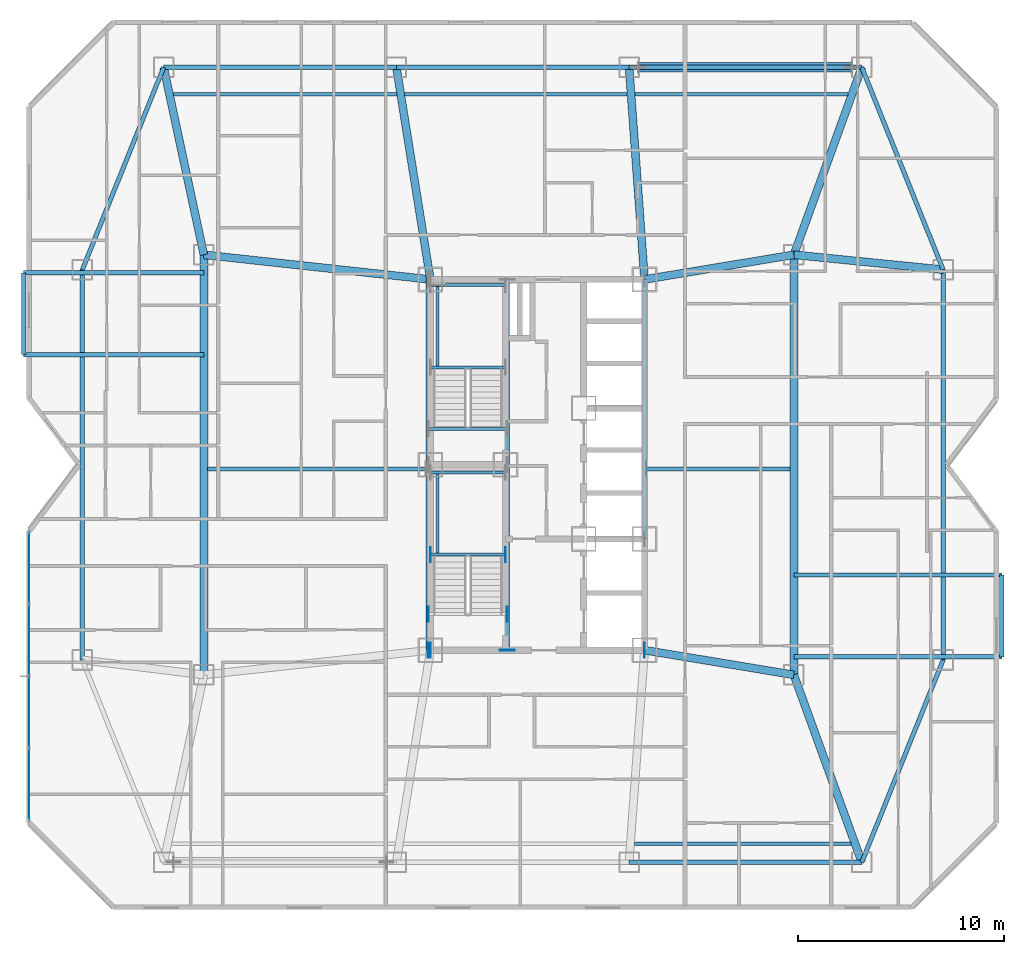
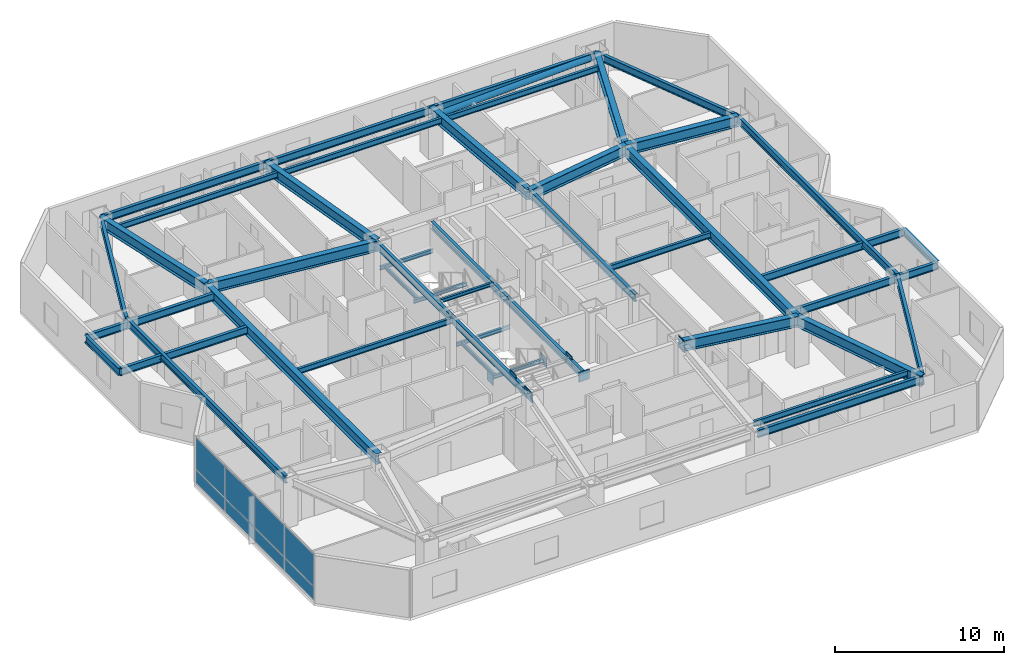
# One storey, part 7 of 19: 44 beams, 17 plates, 1 member, 1 element without a shape of its own.
"""IFC4 building model written with IfcOpenShell, lengths in metres."""

from ifc_helpers import new_model, si_unit, direction, frame, origin, origin_2d, place, context, subcontext, project, spatial, rectangle, hollow_circle, i_section, extrude, material, layer, layer_set, material_profile, profile_set, type_object, element, aggregate, save


model = new_model("IFC4")

# Units and contexts
model_context = context("Model", 3, precision=1e-05, world=origin(), true_north=direction((0.0, 1.0)))
body_context = subcontext(model_context, "Body", "Model", "MODEL_VIEW")
ifc_project = project(units=[si_unit("LENGTHUNIT", "METRE"), si_unit("AREAUNIT", "SQUARE_METRE"), si_unit("VOLUMEUNIT", "CUBIC_METRE"), si_unit("PLANEANGLEUNIT", "RADIAN"), si_unit("MASSUNIT", "GRAM", prefix="KILO")], contexts=[model_context])

# Site, building, storey
site_placement = place(None, origin())
site = spatial("IfcSite", under=ifc_project, at=site_placement, CompositionType="ELEMENT")
building_placement = place(site_placement, origin())
building = spatial("IfcBuilding", under=site, at=building_placement, Name="Khamvora Tower", CompositionType="ELEMENT")
storey_placement = place(building_placement, frame((0.0, 0.0, 120.14990234375)))
storey = spatial("IfcBuildingStorey", under=building, at=storey_placement, Name="L30", CompositionType="ELEMENT", Elevation=120.14990234375)

# Beams
ifc_material_1 = material(Name="Steel S355", Category="steel")
ifc_material_profile_1 = material_profile(ifc_material_1, i_section(OverallWidth=0.177978515625, OverallDepth=0.406982421875, WebThickness=0.008056640625, FlangeThickness=0.012939453125, FilletRadius=0.010009765625, at=origin_2d()), Name="W410x60")
ifc_profile_set_1 = profile_set([ifc_material_profile_1], Name="Steel S355")
beam_type_1 = type_object("IfcBeamType", Name="BM-JS-W410x60", PredefinedType="JOIST", material=ifc_profile_set_1)
beam_1_placement = place(storey_placement, frame((38.902099609375, 9.60009765625, 3.22607421875), z_axis=(1.0, 0.0, 0.0), x_axis=(0.0, 1.0, 0.0)))
element("IfcBeam", 1, at=beam_1_placement, inside=storey, type_object=beam_type_1, Name="L30 secondary floor joist 03", PredefinedType="JOIST", context=body_context, shape_type="SweptSolid", body=[
    extrude(i_section(OverallWidth=0.177978515625, OverallDepth=0.406982421875, WebThickness=0.008056640625, FlangeThickness=0.012939453125, FilletRadius=0.010009765625, at=origin_2d()), origin(), (0.0, 0.0, 1.0), 10.52392578125),
])
beam_2_placement = place(storey_placement, frame((18.18603515625, 27.800048828125, 3.22607421875), z_axis=(1.0, 0.0, 0.0), x_axis=(0.0, 1.0, 0.0)))
element("IfcBeam", 2, at=beam_2_placement, inside=storey, type_object=beam_type_1, Name="L30 secondary floor joist 04", PredefinedType="JOIST", context=body_context, shape_type="SweptSolid", body=[
    extrude(i_section(OverallWidth=0.177978515625, OverallDepth=0.406982421875, WebThickness=0.008056640625, FlangeThickness=0.012939453125, FilletRadius=0.010009765625, at=origin_2d()), origin(), (0.0, 0.0, 1.0), 10.614013671875),
])
beam_3_placement = place(storey_placement, frame((39.4990234375, 27.800048828125, 3.22607421875), z_axis=(1.0, 0.0, 0.0), x_axis=(0.0, 1.0, 0.0)))
element("IfcBeam", 3, at=beam_3_placement, inside=storey, type_object=beam_type_1, Name="L30 secondary floor joist 05", PredefinedType="JOIST", context=body_context, shape_type="SweptSolid", body=[
    extrude(i_section(OverallWidth=0.177978515625, OverallDepth=0.406982421875, WebThickness=0.008056640625, FlangeThickness=0.012939453125, FilletRadius=0.010009765625, at=origin_2d()), origin(), (0.0, 0.0, 1.0), 6.966064453125),
])
beam_4_placement = place(storey_placement, frame((16.51806640625, 46.0, 3.22607421875), z_axis=(1.0, 0.0, 0.0), x_axis=(0.0, 1.0, 0.0)))
element("IfcBeam", 4, at=beam_4_placement, inside=storey, type_object=beam_type_1, Name="L30 secondary floor joist 06", PredefinedType="JOIST", context=body_context, shape_type="SweptSolid", body=[
    extrude(i_section(OverallWidth=0.177978515625, OverallDepth=0.406982421875, WebThickness=0.008056640625, FlangeThickness=0.012939453125, FilletRadius=0.010009765625, at=origin_2d()), origin(), (0.0, 0.0, 1.0), 10.85205078125),
])
beam_5_placement = place(storey_placement, frame((27.74609375, 46.0, 3.22607421875), z_axis=(1.0, 0.0, 0.0), x_axis=(0.0, 1.0, 0.0)))
element("IfcBeam", 5, at=beam_5_placement, inside=storey, type_object=beam_type_1, Name="L30 secondary floor joist 07", PredefinedType="JOIST", context=body_context, shape_type="SweptSolid", body=[
    extrude(i_section(OverallWidth=0.177978515625, OverallDepth=0.406982421875, WebThickness=0.008056640625, FlangeThickness=0.012939453125, FilletRadius=0.010009765625, at=origin_2d()), origin(), (0.0, 0.0, 1.0), 10.81298828125),
])
beam_6_placement = place(storey_placement, frame((38.930908203125, 46.0, 3.22607421875), z_axis=(1.0, 0.0, 0.0), x_axis=(0.0, 1.0, 0.0)))
element("IfcBeam", 6, at=beam_6_placement, inside=storey, type_object=beam_type_1, Name="L30 secondary floor joist 08", PredefinedType="JOIST", context=body_context, shape_type="SweptSolid", body=[
    extrude(i_section(OverallWidth=0.177978515625, OverallDepth=0.406982421875, WebThickness=0.008056640625, FlangeThickness=0.012939453125, FilletRadius=0.010009765625, at=origin_2d()), origin(), (0.0, 0.0, 1.0), 10.35009765625),
])
ifc_material_profile_2 = material_profile(ifc_material_1, i_section(OverallWidth=0.14697265625, OverallDepth=0.261962890625, WebThickness=0.007080078125, FlangeThickness=0.010986328125, FilletRadius=0.008056640625, at=origin_2d()), Name="W250x39")
ifc_profile_set_2 = profile_set([ifc_material_profile_2], Name="Steel S355")
beam_type_2 = type_object("IfcBeamType", Name="BM-LN-W250x39", PredefinedType="LINTEL", material=ifc_profile_set_2)
for number, where, z_axis, x_axis, name in (
    (7, (29.0, 23.635009765625, 1.494140625), (1.0, 0.0, 0.0), (0.0, 1.0, 0.0), "L30 ST-01 half-landing support beam 1.1"),
    (8, (29.0, 27.6298828125, 1.494140625), (1.0, 0.0, 0.0), (0.0, 1.0, 0.0), "L30 ST-01 half-landing support beam 1.2"),
):
    element("IfcBeam", number, at=place(storey_placement, frame(where, z_axis=z_axis, x_axis=x_axis)), inside=storey, type_object=beam_type_2, Name=name, PredefinedType="LINTEL", context=body_context, shape_type="SweptSolid", body=[
        extrude(i_section(OverallWidth=0.14697265625, OverallDepth=0.261962890625, WebThickness=0.007080078125, FlangeThickness=0.010986328125, FilletRadius=0.008056640625, at=origin_2d()), origin(), (0.0, 0.0, 1.0), 3.64990234375),
    ])
beam_7_placement = place(storey_placement, frame((29.35009765625, 23.635009765625, 1.494140625), z_axis=(0.0, 1.0, 0.0), x_axis=(-1.0, 0.0, 0.0)))
element("IfcBeam", 9, at=beam_7_placement, inside=storey, type_object=beam_type_2, Name="L30 ST-01 half-landing edge stringer 1", PredefinedType="LINTEL", context=body_context, shape_type="SweptSolid", body=[
    extrude(i_section(OverallWidth=0.14697265625, OverallDepth=0.261962890625, WebThickness=0.007080078125, FlangeThickness=0.010986328125, FilletRadius=0.008056640625, at=origin_2d()), origin(), (0.0, 0.0, 1.0), 3.994873046875),
])
for number, where, z_axis, x_axis, name in (
    (10, (29.0, 32.735107421875, 1.494140625), (1.0, 0.0, 0.0), (0.0, 1.0, 0.0), "L30 ST-02 half-landing support beam 1.1"),
    (11, (29.0, 36.72998046875, 1.494140625), (1.0, 0.0, 0.0), (0.0, 1.0, 0.0), "L30 ST-02 half-landing support beam 1.2"),
):
    element("IfcBeam", number, at=place(storey_placement, frame(where, z_axis=z_axis, x_axis=x_axis)), inside=storey, type_object=beam_type_2, Name=name, PredefinedType="LINTEL", context=body_context, shape_type="SweptSolid", body=[
        extrude(i_section(OverallWidth=0.14697265625, OverallDepth=0.261962890625, WebThickness=0.007080078125, FlangeThickness=0.010986328125, FilletRadius=0.008056640625, at=origin_2d()), origin(), (0.0, 0.0, 1.0), 3.64990234375),
    ])
beam_8_placement = place(storey_placement, frame((29.35009765625, 32.735107421875, 1.494140625), z_axis=(0.0, 1.0, 0.0), x_axis=(-1.0, 0.0, 0.0)))
element("IfcBeam", 12, at=beam_8_placement, inside=storey, type_object=beam_type_2, Name="L30 ST-02 half-landing edge stringer 1", PredefinedType="LINTEL", context=body_context, shape_type="SweptSolid", body=[
    extrude(i_section(OverallWidth=0.14697265625, OverallDepth=0.261962890625, WebThickness=0.007080078125, FlangeThickness=0.010986328125, FilletRadius=0.008056640625, at=origin_2d()), origin(), (0.0, 0.0, 1.0), 3.994873046875),
])
beam_9_placement = place(storey_placement, frame((28.89990234375, 29.75, 3.30419921875), z_axis=(1.0, 0.0, 0.0), x_axis=(0.0, 1.0, 0.0)))
element("IfcBeam", 13, at=beam_9_placement, inside=storey, type_object=beam_type_2, Name="L30 exit stair ST-02 landing trimmer beam", PredefinedType="LINTEL", context=body_context, shape_type="SweptSolid", body=[
    extrude(i_section(OverallWidth=0.14697265625, OverallDepth=0.261962890625, WebThickness=0.007080078125, FlangeThickness=0.010986328125, FilletRadius=0.008056640625, at=origin_2d()), origin(), (0.0, 0.0, 1.0), 3.830078125),
])
ifc_material_profile_3 = material_profile(ifc_material_1, i_section(OverallWidth=0.381103515625, OverallDepth=0.77294921875, WebThickness=0.01708984375, FlangeThickness=0.027099609375, FilletRadius=0.01806640625, at=origin_2d()), Name="W760x257")
ifc_profile_set_3 = profile_set([ifc_material_profile_3], Name="Steel S355")
beam_type_3 = type_object("IfcBeamType", Name="BM-PG-W760x257", PredefinedType="BEAM", material=ifc_profile_set_3)
for number, where, z_axis, x_axis, name in (
    (14, (46.64990234375, 17.800048828125, 3.044189453125), (0.0, 1.0, 0.0), (-1.0, 0.0, 0.0), "L30 longitudinal frame girder M1-M2"),
    (15, (18.0, 17.800048828125, 3.044189453125), (0.0, 1.0, 0.0), (-1.0, 0.0, 0.0), "L30 longitudinal frame girder MW1-MW2"),
):
    element("IfcBeam", number, at=place(storey_placement, frame(where, z_axis=z_axis, x_axis=x_axis)), inside=storey, type_object=beam_type_3, Name=name, PredefinedType="BEAM", context=body_context, shape_type="SweptSolid", body=[
        extrude(i_section(OverallWidth=0.381103515625, OverallDepth=0.77294921875, WebThickness=0.01708984375, FlangeThickness=0.027099609375, FilletRadius=0.01806640625, at=origin_2d()), origin(), (0.0, 0.0, 1.0), 20.39990234375),
    ])
beam_10_placement = place(storey_placement, frame((46.64990234375, 17.800048828125, 3.044189453125), z_axis=(0.340914681567, -0.940094239899, 0.0), x_axis=(0.940094239899, 0.340914681567, 0.0)))
element("IfcBeam", 16, at=beam_10_placement, inside=storey, type_object=beam_type_3, Name="L30 primary floor girder S4", PredefinedType="BEAM", context=body_context, shape_type="SweptSolid", body=[
    extrude(i_section(OverallWidth=0.381103515625, OverallDepth=0.77294921875, WebThickness=0.01708984375, FlangeThickness=0.027099609375, FilletRadius=0.01806640625, at=origin_2d()), origin(), (0.0, 0.0, 1.0), 9.679931640625),
])
beam_11_placement = place(storey_placement, frame((18.0, 38.199951171875, 3.044189453125), z_axis=(-0.209521922673, 0.977803949634, 0.0), x_axis=(-0.977803949634, -0.209521922673, 0.0)))
element("IfcBeam", 17, at=beam_11_placement, inside=storey, type_object=beam_type_3, Name="L30 primary floor girder N1", PredefinedType="BEAM", context=body_context, shape_type="SweptSolid", body=[
    extrude(i_section(OverallWidth=0.381103515625, OverallDepth=0.77294921875, WebThickness=0.01708984375, FlangeThickness=0.027099609375, FilletRadius=0.01806640625, at=origin_2d()), origin(), (0.0, 0.0, 1.0), 9.306640625),
])
beam_12_placement = place(storey_placement, frame((29.0, 37.0, 3.044189453125), z_axis=(-0.158167584066, 0.987412282358, 0.0), x_axis=(-0.987412282358, -0.158167584066, 0.0)))
element("IfcBeam", 18, at=beam_12_placement, inside=storey, type_object=beam_type_3, Name="L30 primary floor girder N2", PredefinedType="BEAM", context=body_context, shape_type="SweptSolid", body=[
    extrude(i_section(OverallWidth=0.381103515625, OverallDepth=0.77294921875, WebThickness=0.01708984375, FlangeThickness=0.027099609375, FilletRadius=0.01806640625, at=origin_2d()), origin(), (0.0, 0.0, 1.0), 10.431396484375),
])
beam_13_placement = place(storey_placement, frame((39.39990234375, 37.0, 3.044189453125), z_axis=(-0.07262291808, 0.997359469685, 0.0), x_axis=(-0.997359469685, -0.07262291808, 0.0)))
element("IfcBeam", 19, at=beam_13_placement, inside=storey, type_object=beam_type_3, Name="L30 primary floor girder N3", PredefinedType="BEAM", context=body_context, shape_type="SweptSolid", body=[
    extrude(i_section(OverallWidth=0.381103515625, OverallDepth=0.77294921875, WebThickness=0.01708984375, FlangeThickness=0.027099609375, FilletRadius=0.01806640625, at=origin_2d()), origin(), (0.0, 0.0, 1.0), 10.327392578125),
])
beam_14_placement = place(storey_placement, frame((46.64990234375, 38.199951171875, 3.044189453125), z_axis=(0.340914681567, 0.940094239899, 0.0), x_axis=(-0.940094239899, 0.340914681567, 0.0)))
element("IfcBeam", 20, at=beam_14_placement, inside=storey, type_object=beam_type_3, Name="L30 primary floor girder N4", PredefinedType="BEAM", context=body_context, shape_type="SweptSolid", body=[
    extrude(i_section(OverallWidth=0.381103515625, OverallDepth=0.77294921875, WebThickness=0.01708984375, FlangeThickness=0.027099609375, FilletRadius=0.01806640625, at=origin_2d()), origin(), (0.0, 0.0, 1.0), 9.679931640625),
])
beam_15_placement = place(storey_placement, frame((46.64990234375, 38.199951171875, 3.044189453125), z_axis=(0.995039180556, -0.099483813546, 0.0), x_axis=(0.099483813546, 0.995039180556, 0.0)))
element("IfcBeam", 21, at=beam_15_placement, inside=storey, type_object=beam_type_3, Name="L30 primary floor girder E2", PredefinedType="BEAM", context=body_context, shape_type="SweptSolid", body=[
    extrude(i_section(OverallWidth=0.381103515625, OverallDepth=0.77294921875, WebThickness=0.01708984375, FlangeThickness=0.027099609375, FilletRadius=0.01806640625, at=origin_2d()), origin(), (0.0, 0.0, 1.0), 7.2861328125),
])
beam_16_placement = place(storey_placement, frame((29.0, 37.0, 3.044189453125), z_axis=(-0.994102652327, 0.108443149329, 0.0), x_axis=(-0.108443149329, -0.994102652327, 0.0)))
element("IfcBeam", 22, at=beam_16_placement, inside=storey, type_object=beam_type_3, Name="L30 primary floor girder MW2", PredefinedType="BEAM", context=body_context, shape_type="SweptSolid", body=[
    extrude(i_section(OverallWidth=0.381103515625, OverallDepth=0.77294921875, WebThickness=0.01708984375, FlangeThickness=0.027099609375, FilletRadius=0.01806640625, at=origin_2d()), origin(), (0.0, 0.0, 1.0), 11.065185546875),
])
for number, where, z_axis, x_axis, name in (
    (23, (39.39990234375, 19.0, 3.044189453125), (0.986578268552, -0.163289068896, 0.0), (0.163289068896, 0.986578268552, 0.0), "L30 primary floor girder M1"),
    (24, (39.39990234375, 37.0, 3.044189453125), (0.986578268552, 0.163289068896, 0.0), (-0.163289068896, 0.986578268552, 0.0), "L30 primary floor girder M2"),
):
    element("IfcBeam", number, at=place(storey_placement, frame(where, z_axis=z_axis, x_axis=x_axis)), inside=storey, type_object=beam_type_3, Name=name, PredefinedType="BEAM", context=body_context, shape_type="SweptSolid", body=[
        extrude(i_section(OverallWidth=0.381103515625, OverallDepth=0.77294921875, WebThickness=0.01708984375, FlangeThickness=0.027099609375, FilletRadius=0.01806640625, at=origin_2d()), origin(), (0.0, 0.0, 1.0), 7.3486328125),
    ])
ifc_material_profile_4 = material_profile(ifc_material_1, i_section(OverallWidth=0.2119140625, OverallDepth=0.5439453125, WebThickness=0.012939453125, FlangeThickness=0.02099609375, FilletRadius=0.013916015625, at=origin_2d()), Name="W530x123")
ifc_profile_set_4 = profile_set([ifc_material_profile_4], Name="Steel S355")
beam_type_4 = type_object("IfcBeamType", Name="BM-SP-W530x123", PredefinedType="SPANDREL", material=ifc_profile_set_4)
beam_17_placement = place(storey_placement, frame((38.64990234375, 8.699951171875, 3.158203125), z_axis=(1.0, 0.0, 0.0), x_axis=(0.0, 1.0, 0.0)))
element("IfcBeam", 25, at=beam_17_placement, inside=storey, type_object=beam_type_4, Name="L30 perimeter spandrel beam S3-S4", PredefinedType="SPANDREL", context=body_context, shape_type="SweptSolid", body=[
    extrude(i_section(OverallWidth=0.2119140625, OverallDepth=0.5439453125, WebThickness=0.012939453125, FlangeThickness=0.02099609375, FilletRadius=0.013916015625, at=origin_2d()), origin(), (0.0, 0.0, 1.0), 11.300048828125),
])
beam_18_placement = place(storey_placement, frame((49.949951171875, 8.699951171875, 3.158203125), z_axis=(0.373015921536, 0.927824941614, 0.0), x_axis=(-0.927824941614, 0.373015921536, 0.0)))
element("IfcBeam", 26, at=beam_18_placement, inside=storey, type_object=beam_type_4, Name="L30 perimeter spandrel beam S4-E1", PredefinedType="SPANDREL", context=body_context, shape_type="SweptSolid", body=[
    extrude(i_section(OverallWidth=0.2119140625, OverallDepth=0.5439453125, WebThickness=0.012939453125, FlangeThickness=0.02099609375, FilletRadius=0.013916015625, at=origin_2d()), origin(), (0.0, 0.0, 1.0), 10.589111328125),
])
beam_19_placement = place(storey_placement, frame((53.89990234375, 18.52490234375, 3.158203125), z_axis=(0.0, 1.0, 0.0), x_axis=(-1.0, 0.0, 0.0)))
element("IfcBeam", 27, at=beam_19_placement, inside=storey, type_object=beam_type_4, Name="L30 perimeter spandrel beam E1-E2", PredefinedType="SPANDREL", context=body_context, shape_type="SweptSolid", body=[
    extrude(i_section(OverallWidth=0.2119140625, OverallDepth=0.5439453125, WebThickness=0.012939453125, FlangeThickness=0.02099609375, FilletRadius=0.013916015625, at=origin_2d()), origin(), (0.0, 0.0, 1.0), 18.9501953125),
])
beam_20_placement = place(storey_placement, frame((53.89990234375, 37.47509765625, 3.158203125), z_axis=(-0.373015921536, 0.927824941614, 0.0), x_axis=(-0.927824941614, -0.373015921536, 0.0)))
element("IfcBeam", 28, at=beam_20_placement, inside=storey, type_object=beam_type_4, Name="L30 perimeter spandrel beam E2-N4", PredefinedType="SPANDREL", context=body_context, shape_type="SweptSolid", body=[
    extrude(i_section(OverallWidth=0.2119140625, OverallDepth=0.5439453125, WebThickness=0.012939453125, FlangeThickness=0.02099609375, FilletRadius=0.013916015625, at=origin_2d()), origin(), (0.0, 0.0, 1.0), 10.589111328125),
])
beam_21_placement = place(storey_placement, frame((49.949951171875, 47.300048828125, 3.158203125), z_axis=(-1.0, 0.0, 0.0), x_axis=(0.0, -1.0, 0.0)))
element("IfcBeam", 29, at=beam_21_placement, inside=storey, type_object=beam_type_4, Name="L30 perimeter spandrel beam N4-N3", PredefinedType="SPANDREL", context=body_context, shape_type="SweptSolid", body=[
    extrude(i_section(OverallWidth=0.2119140625, OverallDepth=0.5439453125, WebThickness=0.012939453125, FlangeThickness=0.02099609375, FilletRadius=0.013916015625, at=origin_2d()), origin(), (0.0, 0.0, 1.0), 11.300048828125),
])
beam_22_placement = place(storey_placement, frame((38.64990234375, 47.300048828125, 3.158203125), z_axis=(-1.0, 0.0, 0.0), x_axis=(0.0, -1.0, 0.0)))
element("IfcBeam", 30, at=beam_22_placement, inside=storey, type_object=beam_type_4, Name="L30 perimeter spandrel beam N3-N2", PredefinedType="SPANDREL", context=body_context, shape_type="SweptSolid", body=[
    extrude(i_section(OverallWidth=0.2119140625, OverallDepth=0.5439453125, WebThickness=0.012939453125, FlangeThickness=0.02099609375, FilletRadius=0.013916015625, at=origin_2d()), origin(), (0.0, 0.0, 1.0), 11.2998046875),
])
beam_23_placement = place(storey_placement, frame((27.35009765625, 47.300048828125, 3.158203125), z_axis=(-1.0, 0.0, 0.0), x_axis=(0.0, -1.0, 0.0)))
element("IfcBeam", 31, at=beam_23_placement, inside=storey, type_object=beam_type_4, Name="L30 perimeter spandrel beam N2-N1", PredefinedType="SPANDREL", context=body_context, shape_type="SweptSolid", body=[
    extrude(i_section(OverallWidth=0.2119140625, OverallDepth=0.5439453125, WebThickness=0.012939453125, FlangeThickness=0.02099609375, FilletRadius=0.013916015625, at=origin_2d()), origin(), (0.0, 0.0, 1.0), 11.300048828125),
])
beam_24_placement = place(storey_placement, frame((16.050048828125, 47.300048828125, 3.158203125), z_axis=(-0.373015921536, -0.927824941614, 0.0), x_axis=(0.927824941614, -0.373015921536, 0.0)))
element("IfcBeam", 32, at=beam_24_placement, inside=storey, type_object=beam_type_4, Name="L30 perimeter spandrel beam N1-W2", PredefinedType="SPANDREL", context=body_context, shape_type="SweptSolid", body=[
    extrude(i_section(OverallWidth=0.2119140625, OverallDepth=0.5439453125, WebThickness=0.012939453125, FlangeThickness=0.02099609375, FilletRadius=0.013916015625, at=origin_2d()), origin(), (0.0, 0.0, 1.0), 10.589111328125),
])
beam_25_placement = place(storey_placement, frame((12.10009765625, 37.47509765625, 3.158203125), z_axis=(0.0, -1.0, 0.0), x_axis=(1.0, 0.0, 0.0)))
element("IfcBeam", 33, at=beam_25_placement, inside=storey, type_object=beam_type_4, Name="L30 perimeter spandrel beam W2-W1", PredefinedType="SPANDREL", context=body_context, shape_type="SweptSolid", body=[
    extrude(i_section(OverallWidth=0.2119140625, OverallDepth=0.5439453125, WebThickness=0.012939453125, FlangeThickness=0.02099609375, FilletRadius=0.013916015625, at=origin_2d()), origin(), (0.0, 0.0, 1.0), 18.9501953125),
])
ifc_material_profile_5 = material_profile(ifc_material_1, i_section(OverallWidth=0.208984375, OverallDepth=0.532958984375, WebThickness=0.010009765625, FlangeThickness=0.01611328125, FilletRadius=0.013916015625, at=origin_2d()), Name="W530x92")
ifc_profile_set_5 = profile_set([ifc_material_profile_5], Name="Steel S355")
beam_type_5 = type_object("IfcBeamType", Name="BM-SP-W530x92", PredefinedType="SPANDREL", material=ifc_profile_set_5)
for number, where, z_axis, x_axis, name in (
    (34, (28.89990234375, 19.0, 3.1640625), (0.0, 1.0, 0.0), (-1.0, 0.0, 0.0), "L30 core spine girder WS"),
    (35, (28.89990234375, 28.0, 3.1640625), (0.0, 1.0, 0.0), (-1.0, 0.0, 0.0), "L30 core spine girder WN"),
    (36, (32.72998046875, 19.0, 3.1640625), (0.0, 1.0, 0.0), (-1.0, 0.0, 0.0), "L30 core spine girder M1S"),
    (37, (32.72998046875, 28.0, 3.1640625), (0.0, 1.0, 0.0), (-1.0, 0.0, 0.0), "L30 core spine girder M1N"),
):
    element("IfcBeam", number, at=place(storey_placement, frame(where, z_axis=z_axis, x_axis=x_axis)), inside=storey, type_object=beam_type_5, Name=name, PredefinedType="SPANDREL", context=body_context, shape_type="SweptSolid", body=[
        extrude(i_section(OverallWidth=0.208984375, OverallDepth=0.532958984375, WebThickness=0.010009765625, FlangeThickness=0.01611328125, FilletRadius=0.013916015625, at=origin_2d()), origin(), (0.0, 0.0, 1.0), 9.0),
    ])
beam_26_placement = place(storey_placement, frame((39.39990234375, 24.39990234375, 3.1640625), z_axis=(0.0, 1.0, 0.0), x_axis=(-1.0, 0.0, 0.0)))
element("IfcBeam", 38, at=beam_26_placement, inside=storey, type_object=beam_type_5, Name="L30 core spine girder EN", PredefinedType="SPANDREL", context=body_context, shape_type="SweptSolid", body=[
    extrude(i_section(OverallWidth=0.208984375, OverallDepth=0.532958984375, WebThickness=0.010009765625, FlangeThickness=0.01611328125, FilletRadius=0.013916015625, at=origin_2d()), origin(), (0.0, 0.0, 1.0), 12.60009765625),
])
for number, where, z_axis, x_axis, name in (
    (39, (46.64990234375, 18.675048828125, 2.964111328125), (1.0, 0.0, 0.0), (0.0, 1.0, 0.0), "L30 continuous gallery cantilever girder L31-EL1-1"),
    (40, (46.64990234375, 22.64990234375, 2.964111328125), (1.0, 0.0, 0.0), (0.0, 1.0, 0.0), "L30 continuous gallery cantilever girder L31-EL1-2"),
):
    element("IfcBeam", number, at=place(storey_placement, frame(where, z_axis=z_axis, x_axis=x_axis)), inside=storey, type_object=beam_type_5, Name=name, PredefinedType="SPANDREL", context=body_context, shape_type="SweptSolid", body=[
        extrude(i_section(OverallWidth=0.208984375, OverallDepth=0.532958984375, WebThickness=0.010009765625, FlangeThickness=0.01611328125, FilletRadius=0.013916015625, at=origin_2d()), origin(), (0.0, 0.0, 1.0), 10.10009765625),
    ])
beam_27_placement = place(storey_placement, frame((56.75, 18.675048828125, 2.964111328125), z_axis=(0.0, 1.0, 0.0), x_axis=(-1.0, 0.0, 0.0)))
element("IfcBeam", 41, at=beam_27_placement, inside=storey, type_object=beam_type_5, Name="L30 external gallery edge header beam L31-EL1", PredefinedType="SPANDREL", context=body_context, shape_type="SweptSolid", body=[
    extrude(i_section(OverallWidth=0.208984375, OverallDepth=0.532958984375, WebThickness=0.010009765625, FlangeThickness=0.01611328125, FilletRadius=0.013916015625, at=origin_2d()), origin(), (0.0, 0.0, 1.0), 3.974853515625),
])
for number, where, z_axis, x_axis, name in (
    (42, (18.0, 33.35009765625, 2.964111328125), (-1.0, 0.0, 0.0), (0.0, -1.0, 0.0), "L30 continuous gallery cantilever girder L31-WL2-1"),
    (43, (18.0, 37.324951171875, 2.964111328125), (-1.0, 0.0, 0.0), (0.0, -1.0, 0.0), "L30 continuous gallery cantilever girder L31-WL2-2"),
):
    element("IfcBeam", number, at=place(storey_placement, frame(where, z_axis=z_axis, x_axis=x_axis)), inside=storey, type_object=beam_type_5, Name=name, PredefinedType="SPANDREL", context=body_context, shape_type="SweptSolid", body=[
        extrude(i_section(OverallWidth=0.208984375, OverallDepth=0.532958984375, WebThickness=0.010009765625, FlangeThickness=0.01611328125, FilletRadius=0.013916015625, at=origin_2d()), origin(), (0.0, 0.0, 1.0), 8.75),
    ])
beam_28_placement = place(storey_placement, frame((9.25, 33.35009765625, 2.964111328125), z_axis=(0.0, 1.0, 0.0), x_axis=(-1.0, 0.0, 0.0)))
element("IfcBeam", 44, at=beam_28_placement, inside=storey, type_object=beam_type_5, Name="L30 external gallery edge header beam L31-WL2", PredefinedType="SPANDREL", context=body_context, shape_type="SweptSolid", body=[
    extrude(i_section(OverallWidth=0.208984375, OverallDepth=0.532958984375, WebThickness=0.010009765625, FlangeThickness=0.01611328125, FilletRadius=0.013916015625, at=origin_2d()), origin(), (0.0, 0.0, 1.0), 3.974853515625),
])

# Member
ifc_material_profile_6 = material_profile(ifc_material_1, hollow_circle(Radius=0.228515625, WallThickness=0.02001953125, at=origin_2d()), Name="CHS457x20")
ifc_profile_set_6 = profile_set([ifc_material_profile_6], Name="Steel S355")
member_type = type_object("IfcMemberType", Name="MEM-BR-CHS457", PredefinedType="BRACE", material=ifc_profile_set_6)
member_placement = place(storey_placement, frame((39.1298828125, 47.300048828125, 2.7001953125), z_axis=(0.999092084621, 0.0, 0.042602892471), x_axis=(0.0, 1.0, 0.0)))
element("IfcMember", 45, at=member_placement, inside=storey, type_object=member_type, Name="L30 perimeter wind brace 2", PredefinedType="BRACE", context=body_context, shape_type="SweptSolid", body=[
    extrude(hollow_circle(Radius=0.228515625, WallThickness=0.02001953125, at=origin_2d()), origin(), (0.0, 0.0, 1.0), 10.349365234375),
])

# Curtain wall, plates
ifc_material_2 = material(Name="Anodised Aluminium 6063-T6", Category="aluminium")
curtain_wall_type = type_object("IfcCurtainWallType", Name="CW-SYS-03", PredefinedType="NOTDEFINED", material=ifc_material_2)
curtain_wall_placement = place(storey_placement, origin())
curtain_wall = element("IfcCurtainWall", 46, at=curtain_wall_placement, inside=storey, type_object=curtain_wall_type, Name="L30 stick curtain wall 02.1", PredefinedType="NOTDEFINED")
ifc_material_3 = material(Name="Low-E Laminated Double Glazing", Category="glass")
ifc_layer_1 = layer(ifc_material_3, 0.030029296875)
ifc_layer_set_1 = layer_set([ifc_layer_1], Name="Low-E Laminated Double Glazing")
plate_type_1 = type_object("IfcPlateType", Name="CW-SYS-03-PNL", PredefinedType="CURTAIN_PANEL", material=ifc_layer_set_1)
plate_1_placement = place(storey_placement, frame((9.510009765625, 12.489013671875, 0.06494140625), z_axis=(0.0, 0.0, 1.0), x_axis=(0.0, 1.0, 0.0)))
plate_1 = element("IfcPlate", 47, at=plate_1_placement, type_object=plate_type_1, Name="CW-03 panel 1.1", PredefinedType="CURTAIN_PANEL", context=body_context, shape_type="SweptSolid", body=[
    extrude(rectangle(XDim=3.4140625, YDim=0.030029296875, at=origin_2d()), origin(), (0.0, 0.0, 1.0), 0.952392578125),
])
plate_2_placement = place(storey_placement, frame((9.510009765625, 12.489013671875, 1.08251953125), z_axis=(0.0, 0.0, 1.0), x_axis=(0.0, 1.0, 0.0)))
plate_2 = element("IfcPlate", 48, at=plate_2_placement, type_object=plate_type_1, Name="CW-03 panel 1.2", PredefinedType="CURTAIN_PANEL", context=body_context, shape_type="SweptSolid", body=[
    extrude(rectangle(XDim=3.4140625, YDim=0.030029296875, at=origin_2d()), origin(), (0.0, 0.0, 1.0), 2.282470703125),
])
plate_3_placement = place(storey_placement, frame((9.510009765625, 15.984130859375, 0.06494140625), z_axis=(0.0, 0.0, 1.0), x_axis=(0.0, 1.0, 0.0)))
plate_3 = element("IfcPlate", 49, at=plate_3_placement, type_object=plate_type_1, Name="CW-03 panel 2.1", PredefinedType="CURTAIN_PANEL", context=body_context, shape_type="SweptSolid", body=[
    extrude(rectangle(XDim=3.446533203125, YDim=0.030029296875, at=origin_2d()), origin(), (0.0, 0.0, 1.0), 0.952392578125),
])
plate_4_placement = place(storey_placement, frame((9.510009765625, 15.984130859375, 1.08251953125), z_axis=(0.0, 0.0, 1.0), x_axis=(0.0, 1.0, 0.0)))
plate_4 = element("IfcPlate", 50, at=plate_4_placement, type_object=plate_type_1, Name="CW-03 panel 2.2", PredefinedType="CURTAIN_PANEL", context=body_context, shape_type="SweptSolid", body=[
    extrude(rectangle(XDim=3.446533203125, YDim=0.030029296875, at=origin_2d()), origin(), (0.0, 0.0, 1.0), 2.282470703125),
])
plate_5_placement = place(storey_placement, frame((9.510009765625, 19.495849609375, 0.06494140625), z_axis=(0.0, 0.0, 1.0), x_axis=(0.0, 1.0, 0.0)))
plate_5 = element("IfcPlate", 51, at=plate_5_placement, type_object=plate_type_1, Name="CW-03 panel 3.1", PredefinedType="CURTAIN_PANEL", context=body_context, shape_type="SweptSolid", body=[
    extrude(rectangle(XDim=3.446533203125, YDim=0.030029296875, at=origin_2d()), origin(), (0.0, 0.0, 1.0), 0.952392578125),
])
plate_6_placement = place(storey_placement, frame((9.510009765625, 19.495849609375, 1.08251953125), z_axis=(0.0, 0.0, 1.0), x_axis=(0.0, 1.0, 0.0)))
plate_6 = element("IfcPlate", 52, at=plate_6_placement, type_object=plate_type_1, Name="CW-03 panel 3.2", PredefinedType="CURTAIN_PANEL", context=body_context, shape_type="SweptSolid", body=[
    extrude(rectangle(XDim=3.446533203125, YDim=0.030029296875, at=origin_2d()), origin(), (0.0, 0.0, 1.0), 2.282470703125),
])
plate_7_placement = place(storey_placement, frame((9.510009765625, 22.990966796875, 0.06494140625), z_axis=(0.0, 0.0, 1.0), x_axis=(0.0, 1.0, 0.0)))
plate_7 = element("IfcPlate", 53, at=plate_7_placement, type_object=plate_type_1, Name="CW-03 panel 4.1", PredefinedType="CURTAIN_PANEL", context=body_context, shape_type="SweptSolid", body=[
    extrude(rectangle(XDim=3.4140625, YDim=0.030029296875, at=origin_2d()), origin(), (0.0, 0.0, 1.0), 0.952392578125),
])
plate_8_placement = place(storey_placement, frame((9.510009765625, 22.990966796875, 1.08251953125), z_axis=(0.0, 0.0, 1.0), x_axis=(0.0, 1.0, 0.0)))
plate_8 = element("IfcPlate", 54, at=plate_8_placement, type_object=plate_type_1, Name="CW-03 panel 4.2", PredefinedType="CURTAIN_PANEL", context=body_context, shape_type="SweptSolid", body=[
    extrude(rectangle(XDim=3.4140625, YDim=0.030029296875, at=origin_2d()), origin(), (0.0, 0.0, 1.0), 2.282470703125),
])
aggregate(curtain_wall, [plate_1, plate_2, plate_3, plate_4, plate_5, plate_6, plate_7, plate_8])

# Plates
ifc_material_4 = material(Name="Steel S460", Category="steel")
ifc_layer_2 = layer(ifc_material_4, 0.034912109375)
ifc_layer_set_2 = layer_set([ifc_layer_2], Name="Steel S460")
plate_type_2 = type_object("IfcPlateType", Name="PL-EMB-35", PredefinedType="SHEET", material=ifc_layer_set_2)
for number, where, z_axis, x_axis, name in (
    (55, (29.0, 23.635009765625, 1.13427734375), (0.0, 0.0, 1.0), (1.0, 0.0, 0.0), "L30 core shear wall cast-in embed plate 0880"),
    (56, (32.64990234375, 23.635009765625, 1.13427734375), (0.0, 0.0, 1.0), (1.0, 0.0, 0.0), "L30 core shear wall cast-in embed plate 0881"),
    (57, (29.0, 19.0, 2.68408203125), (0.0, 0.0, 1.0), (1.0, 0.0, 0.0), "L30 core shear wall cast-in embed plate 0889"),
    (58, (39.39990234375, 19.0, 2.68408203125), (0.0, 0.0, 1.0), (1.0, 0.0, 0.0), "L30 core shear wall cast-in embed plate 0890"),
    (59, (28.89990234375, 19.0, 2.80419921875), (0.0, 0.0, 1.0), (1.0, 0.0, 0.0), "L30 core shear wall cast-in embed plate 0893"),
):
    element("IfcPlate", number, at=place(storey_placement, frame(where, z_axis=z_axis, x_axis=x_axis)), inside=storey, type_object=plate_type_2, Name=name, PredefinedType="SHEET", context=body_context, shape_type="SweptSolid", body=[
        extrude(rectangle(XDim=0.034912109375, YDim=0.719970703125, at=origin_2d()), origin(), (0.0, 0.0, 1.0), 0.719970703125),
    ])
plate_9_placement = place(storey_placement, frame((32.72998046875, 19.0, 2.80419921875), z_axis=(0.0, 0.0, 1.0), x_axis=(1.0, 0.0, 0.0)))
element("IfcPlate", 60, at=plate_9_placement, inside=storey, type_object=plate_type_2, Name="L30 core shear wall cast-in embed plate 0896", PredefinedType="SHEET", context=body_context, shape_type="SweptSolid", body=[
    extrude(rectangle(XDim=0.719970703125, YDim=0.034912109375, at=origin_2d()), origin(), (0.0, 0.0, 1.0), 0.719970703125),
])
for number, where, z_axis, x_axis, name in (
    (61, (39.39990234375, 19.0, 2.80419921875), (0.0, 0.0, 1.0), (1.0, 0.0, 0.0), "L30 core shear wall cast-in embed plate 0899"),
    (62, (28.89990234375, 20.75, 2.9443359375), (0.0, 0.0, 1.0), (1.0, 0.0, 0.0), "L30 core shear wall cast-in embed plate 0902"),
    (63, (32.72998046875, 20.75, 2.9443359375), (0.0, 0.0, 1.0), (1.0, 0.0, 0.0), "L30 core shear wall cast-in embed plate 0903"),
):
    element("IfcPlate", number, at=place(storey_placement, frame(where, z_axis=z_axis, x_axis=x_axis)), inside=storey, type_object=plate_type_2, Name=name, PredefinedType="SHEET", context=body_context, shape_type="SweptSolid", body=[
        extrude(rectangle(XDim=0.034912109375, YDim=0.719970703125, at=origin_2d()), origin(), (0.0, 0.0, 1.0), 0.719970703125),
    ])

save(model, "model.ifc")
